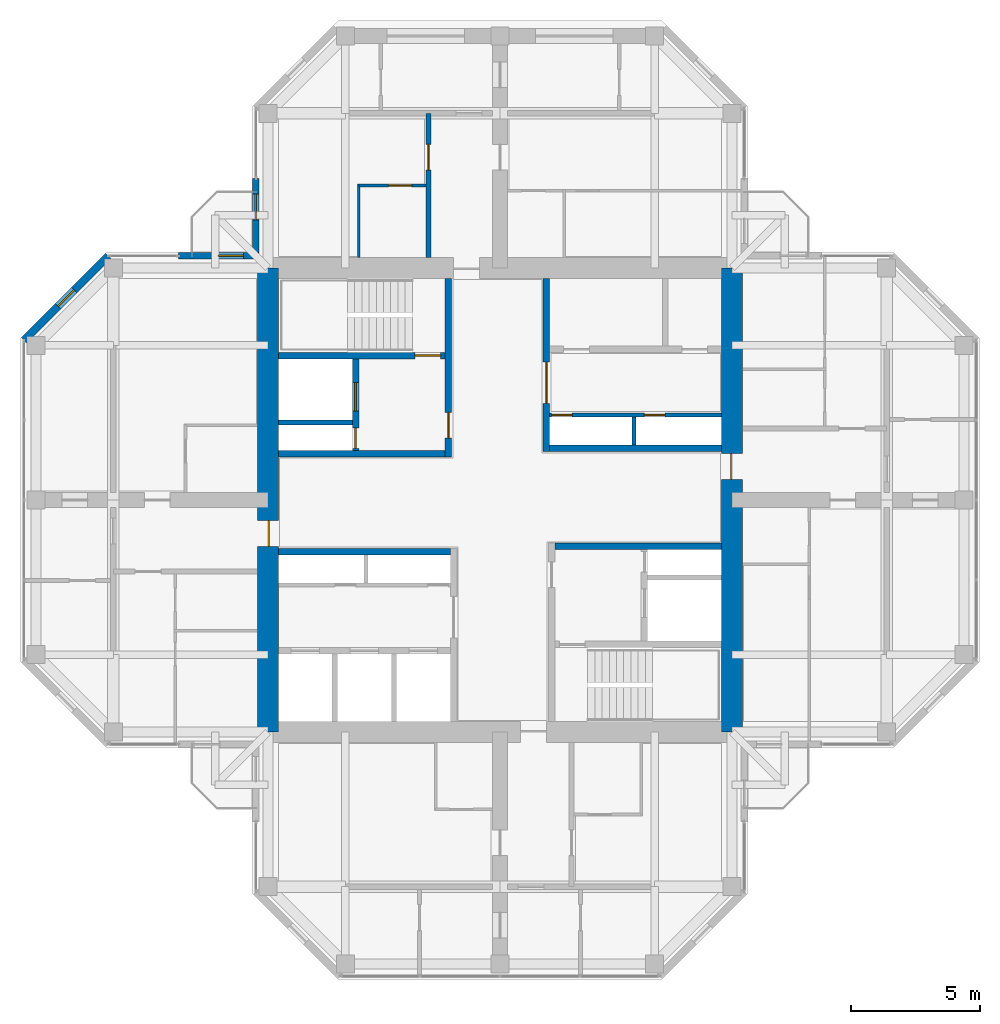
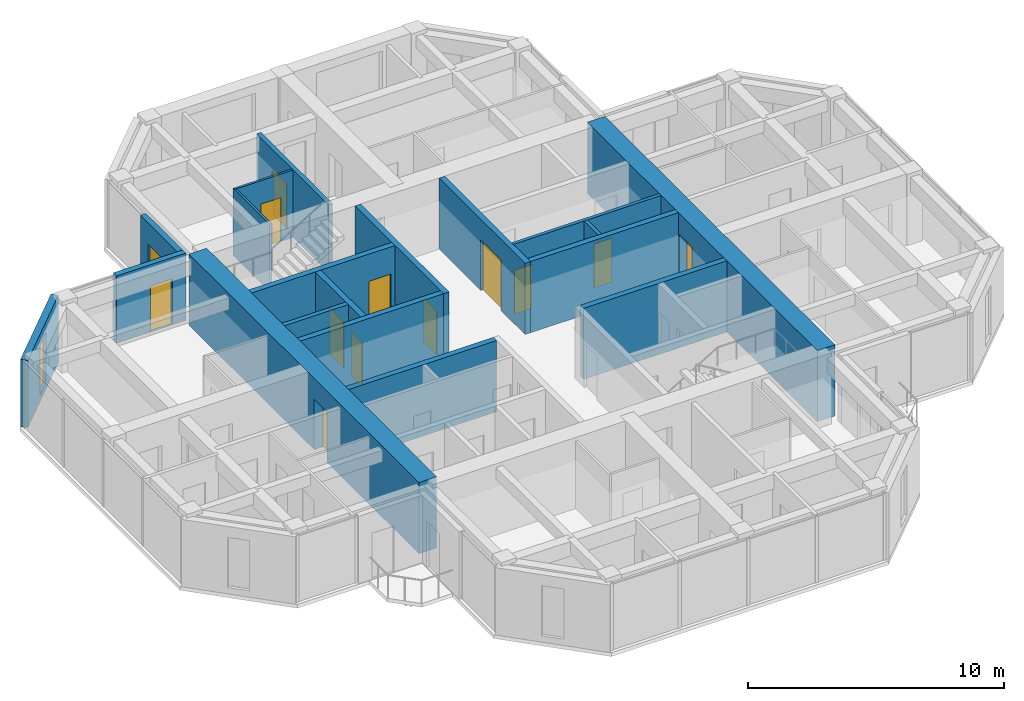
# One storey, part 10 of 13: 19 walls, 13 doors, 1 window, 14 openings.
"""IFC4 building model written with IfcOpenShell, lengths in metres."""

from ifc_helpers import new_model, si_unit, direction, frame, frame_2d, origin, place, context, subcontext, project, spatial, rectangle, hollow_rectangle, extrude, material, layer, layer_set, constituent, constituent_set, type_object, element, fill, save


model = new_model("IFC4")

# Units and contexts
model_context = context("Model", 3, precision=1e-05, world=origin(), true_north=direction((0.0, 1.0)))
body_context = subcontext(model_context, "Body", "Model", "MODEL_VIEW")
ifc_project = project(units=[si_unit("LENGTHUNIT", "METRE"), si_unit("AREAUNIT", "SQUARE_METRE"), si_unit("VOLUMEUNIT", "CUBIC_METRE"), si_unit("PLANEANGLEUNIT", "RADIAN"), si_unit("MASSUNIT", "GRAM", prefix="KILO")], contexts=[model_context])

# Site, building, storey
site_placement = place(None, origin())
site = spatial("IfcSite", under=ifc_project, at=site_placement, CompositionType="ELEMENT")
building_placement = place(site_placement, origin())
building = spatial("IfcBuilding", under=site, at=building_placement, Name="Torre Cruceta", CompositionType="ELEMENT")
storey_placement = place(building_placement, frame((0.0, 0.0, 278.10009765625)))
storey = spatial("IfcBuildingStorey", under=building, at=storey_placement, Name="L72", CompositionType="ELEMENT", Elevation=278.10009765625)

# Wall
ifc_material_1 = material(Name="Water-resistant plasterboard on steel studs", Category="steel")
ifc_layer_1 = layer(ifc_material_1, 0.10009765625)
ifc_layer_set_1 = layer_set([ifc_layer_1], Name="Water-resistant plasterboard on steel studs")
wall_type_1 = type_object("IfcWallType", Name="BATHROOM WALL 100", PredefinedType="PARTITIONING", material=ifc_layer_set_1)
wall_1_placement = place(storey_placement, frame((-5.47509765625, 9.39990234375, 0.0), z_axis=(0.0, 0.0, 1.0), x_axis=(0.0, 1.0, 0.0)))
element("IfcWall", 1, at=wall_1_placement, inside=storey, type_object=wall_type_1, Name="PT4 L72-N-U1LBB", PredefinedType="PARTITIONING", context=body_context, shape_type="SweptSolid", body=[
    extrude(rectangle(XDim=2.85009765625, YDim=0.10009765625, at=frame_2d((1.425048828125, 0.0))), origin(), (0.0, 0.0, 1.0), 3.219970703125),
])

# Wall, opening, door
wall_2_placement = place(storey_placement, frame((-2.875, 12.199951171875, 0.0), z_axis=(0.0, 0.0, 1.0), x_axis=(-1.0, 0.0, 0.0)))
wall_2 = element("IfcWall", 2, at=wall_2_placement, inside=storey, type_object=wall_type_1, Name="PT4 L72-N-U1LBS", PredefinedType="PARTITIONING", context=body_context, shape_type="SweptSolid", body=[
    extrude(rectangle(XDim=2.60009765625, YDim=0.10009765625, at=frame_2d((1.300048828125, 0.0))), origin(), (0.0, 0.0, 1.0), 3.219970703125),
])
opening_1_placement = place(wall_2_placement, frame((0.550048828125, 0.0, 0.0)))
opening_1 = element("IfcOpeningElement", 3, at=opening_1_placement, cuts=wall_2, Name="Opening D7", PredefinedType="OPENING", context=body_context, shape_type="SweptSolid", body=[
    extrude(rectangle(XDim=0.89990234375, YDim=2.10009765625, at=frame_2d((0.449951171875, 1.050048828125))), frame((0.0, 0.06005859375, 0.0), z_axis=(0.0, -1.0, 0.0), x_axis=(1.0, 0.0, 0.0)), (0.0, 0.0, 1.0), 0.1201171875),
])
ifc_material_2 = material(Name="Timber door", Category="wood")
door_type_1 = type_object("IfcDoorType", Name="BATHROOM DOOR 900X2100", OperationType="SINGLE_SWING_LEFT", PredefinedType="DOOR", material=ifc_material_2)
door_1_placement = place(opening_1_placement, origin())
door_1 = element("IfcDoor", 4, at=door_1_placement, inside=storey, type_object=door_type_1, Name="D7 L72-N-U1LBS-D1", OperationType="SINGLE_SWING_LEFT", OverallHeight=2.10009765625, OverallWidth=0.89990234375, PredefinedType="DOOR", context=body_context, shape_type="SweptSolid", body=[
    extrude(rectangle(XDim=0.89990234375, YDim=2.10009765625, at=frame_2d((0.449951171875, 1.050048828125))), frame((0.0, 0.02490234375, 0.0), z_axis=(0.0, -1.0, 0.0), x_axis=(1.0, 0.0, 0.0)), (0.0, 0.0, 1.0), 0.050048828125),
])
fill(opening_1, door_1)

ifc_material_3 = material(Name="Concrete G60 (fck 60 MPa)", Category="concrete")
ifc_layer_2 = layer(ifc_material_3, 0.25)
ifc_layer_set_2 = layer_set([ifc_layer_2], Name="Concrete G60 (fck 60 MPa)")
wall_type_2 = type_object("IfcWallType", Name="CORE INNER WALL 250 G60", PredefinedType="SHEAR", material=ifc_layer_set_2)
wall_3_placement = place(storey_placement, frame((1.800048828125, 1.875, 0.0), z_axis=(0.0, 0.0, 1.0), x_axis=(0.0, 1.0, 0.0)))
wall_3 = element("IfcWall", 5, at=wall_3_placement, inside=storey, type_object=wall_type_2, Name="CW4 L72 NE-CU", PredefinedType="SHEAR", context=body_context, shape_type="SweptSolid", body=[
    extrude(rectangle(XDim=6.72509765625, YDim=0.25, at=frame_2d((3.362548828125, 0.0))), origin(), (0.0, 0.0, 1.0), 3.39990234375),
])
opening_2_placement = place(wall_3_placement, frame((1.875, 0.0, 0.0)))
opening_2 = element("IfcOpeningElement", 6, at=opening_2_placement, cuts=wall_3, Name="Opening D15", PredefinedType="OPENING", context=body_context, shape_type="SweptSolid", body=[
    extrude(rectangle(XDim=1.60009765625, YDim=2.39990234375, at=frame_2d((0.800048828125, 1.199951171875))), frame((0.0, 0.135009765625, 0.0), z_axis=(0.0, -1.0, 0.0), x_axis=(1.0, 0.0, 0.0)), (0.0, 0.0, 1.0), 0.27001953125),
])
ifc_material_4 = material(Name="Steel DX51D", Category="steel")
ifc_constituent_1 = constituent(ifc_material_4, Name="Leaf and frame")
ifc_material_5 = material(Name="Polyester powder coating", Category="paint")
ifc_constituent_2 = constituent(ifc_material_5, Name="Finish")
ifc_constituent_set_1 = constituent_set(constituents=[ifc_constituent_1, ifc_constituent_2], Name="Steel fire door")
door_type_2 = type_object("IfcDoorType", Name="CORE ROOM DOUBLE DOOR 1600X2400", OperationType="DOUBLE_DOOR_SINGLE_SWING", PredefinedType="DOOR", material=ifc_constituent_set_1)
door_2_placement = place(opening_2_placement, frame((1.60009765625, 0.0, 0.0), z_axis=(0.0, 0.0, 1.0), x_axis=(-1.0, 0.0, 0.0)))
door_2 = element("IfcDoor", 7, at=door_2_placement, inside=storey, type_object=door_type_2, Name="D15 L72 NE-LOBBY", OperationType="DOUBLE_DOOR_SINGLE_SWING", OverallHeight=2.39990234375, OverallWidth=1.60009765625, PredefinedType="DOOR", context=body_context, shape_type="SweptSolid", body=[
    extrude(rectangle(XDim=1.60009765625, YDim=2.39990234375, at=frame_2d((0.800048828125, 1.199951171875))), frame((0.0, 0.025146484375, 0.0), z_axis=(0.0, -1.0, 0.0), x_axis=(1.0, 0.0, 0.0)), (0.0, 0.0, 1.0), 0.050048828125),
])
fill(opening_2, door_2)

# Wall
wall_4_placement = place(storey_placement, frame((1.925048828125, 2.0, 0.0), z_axis=(0.0, 0.0, 1.0), x_axis=(1.0, 0.0, 0.0)))
element("IfcWall", 8, at=wall_4_placement, inside=storey, type_object=wall_type_2, Name="CW4 L72 NE-CV", PredefinedType="SHEAR", context=body_context, shape_type="SweptSolid", body=[
    extrude(rectangle(XDim=6.675048828125, YDim=0.25, at=frame_2d((3.33740234375, 0.0))), origin(), (0.0, 0.0, 1.0), 3.39990234375),
])

# Wall, opening, door
wall_5_placement = place(storey_placement, frame((-2.0, 1.675048828125, 0.0), z_axis=(0.0, 0.0, 1.0), x_axis=(0.0, 1.0, 0.0)))
wall_5 = element("IfcWall", 9, at=wall_5_placement, inside=storey, type_object=wall_type_2, Name="CW4 L72 NW-CU", PredefinedType="SHEAR", context=body_context, shape_type="SweptSolid", body=[
    extrude(rectangle(XDim=6.925048828125, YDim=0.25, at=frame_2d((3.46240234375, 0.0))), origin(), (0.0, 0.0, 1.0), 3.39990234375),
])
opening_3_placement = place(wall_5_placement, frame((0.72509765625, 0.0, 0.0)))
opening_3 = element("IfcOpeningElement", 10, at=opening_3_placement, cuts=wall_5, Name="Opening D3", PredefinedType="OPENING", context=body_context, shape_type="SweptSolid", body=[
    extrude(rectangle(XDim=1.0, YDim=2.10009765625, at=frame_2d((0.5, 1.050048828125))), frame((0.0, 0.135009765625, 0.0), z_axis=(0.0, -1.0, 0.0), x_axis=(1.0, 0.0, 0.0)), (0.0, 0.0, 1.0), 0.27001953125),
])
ifc_material_6 = material(Name="Steel DX51D", Category="steel")
ifc_constituent_3 = constituent(ifc_material_6, Name="Leaf and frame")
ifc_material_7 = material(Name="Polyester powder coating", Category="paint")
ifc_constituent_4 = constituent(ifc_material_7, Name="Finish")
ifc_constituent_set_2 = constituent_set(constituents=[ifc_constituent_3, ifc_constituent_4], Name="Steel fire door")
door_type_3 = type_object("IfcDoorType", Name="FIRE DOOR 1000X2100", OperationType="SINGLE_SWING_LEFT", PredefinedType="DOOR", material=ifc_constituent_set_2)
door_3_placement = place(opening_3_placement, origin())
door_3 = element("IfcDoor", 11, at=door_3_placement, inside=storey, type_object=door_type_3, Name="D3 L72 NW-LOBBY", OperationType="SINGLE_SWING_LEFT", OverallHeight=2.10009765625, OverallWidth=1.0, PredefinedType="DOOR", context=body_context, shape_type="SweptSolid", body=[
    extrude(rectangle(XDim=1.0, YDim=2.10009765625, at=frame_2d((0.5, 1.050048828125))), frame((0.0, 0.02490234375, 0.0), z_axis=(0.0, -1.0, 0.0), x_axis=(1.0, 0.0, 0.0)), (0.0, 0.0, 1.0), 0.050048828125),
])
fill(opening_3, door_3)

# Wall
wall_6_placement = place(storey_placement, frame((-2.125, 1.800048828125, 0.0), z_axis=(0.0, 0.0, 1.0), x_axis=(-1.0, 0.0, 0.0)))
element("IfcWall", 12, at=wall_6_placement, inside=storey, type_object=wall_type_2, Name="CW4 L72 NW-CV", PredefinedType="SHEAR", context=body_context, shape_type="SweptSolid", body=[
    extrude(rectangle(XDim=6.47509765625, YDim=0.25, at=frame_2d((3.237548828125, 0.0))), origin(), (0.0, 0.0, 1.0), 3.39990234375),
])

# Wall, opening, door
wall_7_placement = place(storey_placement, frame((-2.125, 5.60009765625, 0.0), z_axis=(0.0, 0.0, 1.0), x_axis=(-1.0, 0.0, 0.0)))
wall_7 = element("IfcWall", 13, at=wall_7_placement, inside=storey, type_object=wall_type_2, Name="CW4 L72 NW-SV", PredefinedType="SHEAR", context=body_context, shape_type="SweptSolid", body=[
    extrude(rectangle(XDim=6.47509765625, YDim=0.25, at=frame_2d((3.237548828125, 0.0))), origin(), (0.0, 0.0, 1.0), 3.39990234375),
])
opening_4_placement = place(wall_7_placement, frame((0.175048828125, 0.0, 0.0)))
opening_4 = element("IfcOpeningElement", 14, at=opening_4_placement, cuts=wall_7, Name="Opening D3", PredefinedType="OPENING", context=body_context, shape_type="SweptSolid", body=[
    extrude(rectangle(XDim=1.0, YDim=2.10009765625, at=frame_2d((0.5, 1.050048828125))), frame((0.0, 0.135009765625, 0.0), z_axis=(0.0, -1.0, 0.0), x_axis=(1.0, 0.0, 0.0)), (0.0, 0.0, 1.0), 0.27001953125),
])
door_4_placement = place(opening_4_placement, frame((1.0, 0.0, 0.0), z_axis=(0.0, 0.0, 1.0), x_axis=(-1.0, 0.0, 0.0)))
door_4 = element("IfcDoor", 15, at=door_4_placement, inside=storey, type_object=door_type_3, Name="D3 L72 NW-STAIR", OperationType="SINGLE_SWING_RIGHT", OverallHeight=2.10009765625, OverallWidth=1.0, PredefinedType="DOOR", context=body_context, shape_type="SweptSolid", body=[
    extrude(rectangle(XDim=1.0, YDim=2.10009765625, at=frame_2d((0.5, 1.050048828125))), frame((0.0, 0.025146484375, 0.0), z_axis=(0.0, -1.0, 0.0), x_axis=(1.0, 0.0, 0.0)), (0.0, 0.0, 1.0), 0.050048828125),
])
fill(opening_4, door_4)

# Wall, openings, doors
wall_8_placement = place(storey_placement, frame((-5.60009765625, 1.925048828125, 0.0), z_axis=(0.0, 0.0, 1.0), x_axis=(0.0, 1.0, 0.0)))
wall_8 = element("IfcWall", 16, at=wall_8_placement, inside=storey, type_object=wall_type_2, Name="CW4 L72 NW-FU", PredefinedType="SHEAR", context=body_context, shape_type="SweptSolid", body=[
    extrude(rectangle(XDim=3.550048828125, YDim=0.25, at=frame_2d((1.77490234375, 0.0))), origin(), (0.0, 0.0, 1.0), 3.39990234375),
])
opening_5_placement = place(wall_8_placement, frame((1.52490234375, 0.0, 0.0)))
opening_5 = element("IfcOpeningElement", 17, at=opening_5_placement, cuts=wall_8, Name="Opening LD1", PredefinedType="OPENING", context=body_context, shape_type="SweptSolid", body=[
    extrude(rectangle(XDim=1.10009765625, YDim=2.199951171875, at=frame_2d((0.550048828125, 1.10009765625))), frame((0.0, 0.135009765625, 0.0), z_axis=(0.0, -1.0, 0.0), x_axis=(1.0, 0.0, 0.0)), (0.0, 0.0, 1.0), 0.27001953125),
])
opening_6_placement = place(wall_8_placement, frame((0.074951171875, 0.0, 0.0)))
opening_6 = element("IfcOpeningElement", 18, at=opening_6_placement, cuts=wall_8, Name="Opening D5", PredefinedType="OPENING", context=body_context, shape_type="SweptSolid", body=[
    extrude(rectangle(XDim=0.800048828125, YDim=2.10009765625, at=frame_2d((0.39990234375, 1.050048828125))), frame((0.0, 0.135009765625, 0.0), z_axis=(0.0, -1.0, 0.0), x_axis=(1.0, 0.0, 0.0)), (0.0, 0.0, 1.0), 0.27001953125),
])
ifc_material_8 = material(Name="Stainless steel 1.4401", Category="steel")
door_type_4 = type_object("IfcDoorType", Name="LIFT LANDING DOOR 1100X2200", OperationType="DOUBLE_DOOR_SLIDING", PredefinedType="DOOR", material=ifc_material_8)
door_5_placement = place(opening_5_placement, origin())
door_5 = element("IfcDoor", 19, at=door_5_placement, inside=storey, type_object=door_type_4, Name="Lift landing door FL1", OperationType="DOUBLE_DOOR_SLIDING", OverallHeight=2.199951171875, OverallWidth=1.10009765625, PredefinedType="DOOR", context=body_context, shape_type="SweptSolid", body=[
    extrude(rectangle(XDim=1.10009765625, YDim=2.199951171875, at=frame_2d((0.550048828125, 1.10009765625))), frame((0.0, 0.02490234375, 0.0), z_axis=(0.0, -1.0, 0.0), x_axis=(1.0, 0.0, 0.0)), (0.0, 0.0, 1.0), 0.050048828125),
])
fill(opening_5, door_5)
ifc_material_9 = material(Name="Steel DX51D", Category="steel")
ifc_constituent_5 = constituent(ifc_material_9, Name="Leaf and frame")
ifc_material_10 = material(Name="Polyester powder coating", Category="paint")
ifc_constituent_6 = constituent(ifc_material_10, Name="Finish")
ifc_constituent_set_3 = constituent_set(constituents=[ifc_constituent_5, ifc_constituent_6], Name="Steel fire door")
door_type_5 = type_object("IfcDoorType", Name="RISER ACCESS DOOR 800X2100", OperationType="SINGLE_SWING_LEFT", PredefinedType="DOOR", material=ifc_constituent_set_3)
door_6_placement = place(opening_6_placement, origin())
door_6 = element("IfcDoor", 20, at=door_6_placement, inside=storey, type_object=door_type_5, Name="D5 L72 NW-RISER", OperationType="SINGLE_SWING_LEFT", OverallHeight=2.10009765625, OverallWidth=0.800048828125, PredefinedType="DOOR", context=body_context, shape_type="SweptSolid", body=[
    extrude(rectangle(XDim=0.800048828125, YDim=2.10009765625, at=frame_2d((0.39990234375, 1.050048828125))), frame((0.0, 0.02490234375, 0.0), z_axis=(0.0, -1.0, 0.0), x_axis=(1.0, 0.0, 0.0)), (0.0, 0.0, 1.0), 0.050048828125),
])
fill(opening_6, door_6)

# Walls
wall_9_placement = place(storey_placement, frame((-1.925048828125, -2.0, 0.0), z_axis=(0.0, 0.0, 1.0), x_axis=(-1.0, 0.0, 0.0)))
element("IfcWall", 21, at=wall_9_placement, inside=storey, type_object=wall_type_2, Name="CW4 L72 SW-CV", PredefinedType="SHEAR", context=body_context, shape_type="SweptSolid", body=[
    extrude(rectangle(XDim=6.675048828125, YDim=0.25, at=frame_2d((3.33740234375, 0.0))), origin(), (0.0, 0.0, 1.0), 3.39990234375),
])
wall_10_placement = place(storey_placement, frame((2.125, -1.800048828125, 0.0), z_axis=(0.0, 0.0, 1.0), x_axis=(1.0, 0.0, 0.0)))
element("IfcWall", 22, at=wall_10_placement, inside=storey, type_object=wall_type_2, Name="CW4 L72 SE-CV", PredefinedType="SHEAR", context=body_context, shape_type="SweptSolid", body=[
    extrude(rectangle(XDim=6.47509765625, YDim=0.25, at=frame_2d((3.237548828125, 0.0))), origin(), (0.0, 0.0, 1.0), 3.39990234375),
])

# Wall, opening, door
ifc_material_11 = material(Name="Concrete G60 (fck 60 MPa)", Category="concrete")
ifc_layer_3 = layer(ifc_material_11, 0.800048828125)
ifc_layer_set_3 = layer_set([ifc_layer_3], Name="Concrete G60 (fck 60 MPa)")
wall_type_3 = type_object("IfcWallType", Name="CORE WALL 800 G60", PredefinedType="SHEAR", material=ifc_layer_set_3)
wall_11_placement = place(storey_placement, frame((9.0, -9.0, 0.0), z_axis=(0.0, 0.0, 1.0), x_axis=(0.0, 1.0, 0.0)))
wall_11 = element("IfcWall", 23, at=wall_11_placement, inside=storey, type_object=wall_type_3, Name="CW3 L72 CW-E", PredefinedType="SHEAR", context=body_context, shape_type="SweptSolid", body=[
    extrude(rectangle(XDim=18.0, YDim=0.800048828125, at=frame_2d((9.0, 0.0))), origin(), (0.0, 0.0, 1.0), 3.39990234375),
])
opening_7_placement = place(wall_11_placement, frame((9.800048828125, 0.0, 0.0)))
opening_7 = element("IfcOpeningElement", 24, at=opening_7_placement, cuts=wall_11, Name="Opening D4", PredefinedType="OPENING", context=body_context, shape_type="SweptSolid", body=[
    extrude(rectangle(XDim=1.0, YDim=2.39990234375, at=frame_2d((0.5, 1.199951171875))), frame((0.0, 0.409912109375, 0.0), z_axis=(0.0, -1.0, 0.0), x_axis=(1.0, 0.0, 0.0)), (0.0, 0.0, 1.0), 0.820068359375),
])
ifc_material_12 = material(Name="Steel DX51D", Category="steel")
ifc_constituent_7 = constituent(ifc_material_12, Name="Leaf and frame")
ifc_material_13 = material(Name="Polyester powder coating", Category="paint")
ifc_constituent_8 = constituent(ifc_material_13, Name="Finish")
ifc_constituent_set_4 = constituent_set(constituents=[ifc_constituent_7, ifc_constituent_8], Name="Steel fire door")
door_type_6 = type_object("IfcDoorType", Name="CORE ARM DOOR 1000X2400", OperationType="SINGLE_SWING_RIGHT", PredefinedType="DOOR", material=ifc_constituent_set_4)
door_7_placement = place(opening_7_placement, origin())
door_7 = element("IfcDoor", 25, at=door_7_placement, inside=storey, type_object=door_type_6, Name="D4 L72 CW-E", OperationType="SINGLE_SWING_RIGHT", OverallHeight=2.39990234375, OverallWidth=1.0, PredefinedType="DOOR", context=body_context, shape_type="SweptSolid", body=[
    extrude(rectangle(XDim=1.0, YDim=2.39990234375, at=frame_2d((0.5, 1.199951171875))), frame((0.0, 0.05517578125, 0.0), z_axis=(0.0, -1.0, 0.0), x_axis=(1.0, 0.0, 0.0)), (0.0, 0.0, 1.0), 0.050048828125),
])
fill(opening_7, door_7)

wall_12_placement = place(storey_placement, frame((-9.0, 9.0, 0.0), z_axis=(0.0, 0.0, 1.0), x_axis=(0.0, -1.0, 0.0)))
wall_12 = element("IfcWall", 26, at=wall_12_placement, inside=storey, type_object=wall_type_3, Name="CW3 L72 CW-W", PredefinedType="SHEAR", context=body_context, shape_type="SweptSolid", body=[
    extrude(rectangle(XDim=18.0, YDim=0.800048828125, at=frame_2d((9.0, 0.0))), origin(), (0.0, 0.0, 1.0), 3.39990234375),
])
opening_8_placement = place(wall_12_placement, frame((9.800048828125, 0.0, 0.0)))
opening_8 = element("IfcOpeningElement", 27, at=opening_8_placement, cuts=wall_12, Name="Opening D4", PredefinedType="OPENING", context=body_context, shape_type="SweptSolid", body=[
    extrude(rectangle(XDim=1.0, YDim=2.39990234375, at=frame_2d((0.5, 1.199951171875))), frame((0.0, 0.409912109375, 0.0), z_axis=(0.0, -1.0, 0.0), x_axis=(1.0, 0.0, 0.0)), (0.0, 0.0, 1.0), 0.820068359375),
])
door_8_placement = place(opening_8_placement, origin())
door_8 = element("IfcDoor", 28, at=door_8_placement, inside=storey, type_object=door_type_6, Name="D4 L72 CW-W", OperationType="SINGLE_SWING_RIGHT", OverallHeight=2.39990234375, OverallWidth=1.0, PredefinedType="DOOR", context=body_context, shape_type="SweptSolid", body=[
    extrude(rectangle(XDim=1.0, YDim=2.39990234375, at=frame_2d((0.5, 1.199951171875))), frame((0.0, 0.05517578125, 0.0), z_axis=(0.0, -1.0, 0.0), x_axis=(1.0, 0.0, 0.0)), (0.0, 0.0, 1.0), 0.050048828125),
])
fill(opening_8, door_8)

ifc_material_14 = material(Name="Concrete G25 (fck 25 MPa)", Category="concrete")
ifc_layer_4 = layer(ifc_material_14, 0.199951171875)
ifc_layer_set_4 = layer_set([ifc_layer_4], Name="Concrete G25 (fck 25 MPa)")
wall_type_4 = type_object("IfcWallType", Name="CORRIDOR WALL 200", PredefinedType="SOLIDWALL", material=ifc_layer_set_4)
wall_13_placement = place(storey_placement, frame((-2.77490234375, 9.39990234375, 0.0), z_axis=(0.0, 0.0, 1.0), x_axis=(0.0, 1.0, 0.0)))
wall_13 = element("IfcWall", 29, at=wall_13_placement, inside=storey, type_object=wall_type_4, Name="PT3 L72-N-CL", PredefinedType="SOLIDWALL", context=body_context, shape_type="SweptSolid", body=[
    extrude(rectangle(XDim=5.60009765625, YDim=0.199951171875, at=frame_2d((2.800048828125, 0.0))), origin(), (0.0, 0.0, 1.0), 3.219970703125),
])
opening_9_placement = place(wall_13_placement, frame((3.39990234375, 0.0, 0.0)))
opening_9 = element("IfcOpeningElement", 30, at=opening_9_placement, cuts=wall_13, Name="Opening D6", PredefinedType="OPENING", context=body_context, shape_type="SweptSolid", body=[
    extrude(rectangle(XDim=1.0, YDim=2.14990234375, at=frame_2d((0.5, 1.074951171875))), frame((0.0, 0.10986328125, 0.0), z_axis=(0.0, -1.0, 0.0), x_axis=(1.0, 0.0, 0.0)), (0.0, 0.0, 1.0), 0.219970703125),
])
ifc_material_15 = material(Name="Timber fire door", Category="wood")
door_type_7 = type_object("IfcDoorType", Name="UNIT ENTRANCE DOOR 1000X2150", OperationType="SINGLE_SWING_LEFT", PredefinedType="DOOR", material=ifc_material_15)
door_9_placement = place(opening_9_placement, origin())
door_9 = element("IfcDoor", 31, at=door_9_placement, inside=storey, type_object=door_type_7, Name="D6 L72-N-CL-D1", OperationType="SINGLE_SWING_LEFT", OverallHeight=2.14990234375, OverallWidth=1.0, PredefinedType="DOOR", context=body_context, shape_type="SweptSolid", body=[
    extrude(rectangle(XDim=1.0, YDim=2.14990234375, at=frame_2d((0.5, 1.074951171875))), frame((0.0, 0.02490234375, 0.0), z_axis=(0.0, -1.0, 0.0), x_axis=(1.0, 0.0, 0.0)), (0.0, 0.0, 1.0), 0.050048828125),
])
fill(opening_9, door_9)

# Wall, opening, window
ifc_material_16 = material(Name="Concrete G30 (fck 30 MPa)", Category="concrete")
ifc_layer_5 = layer(ifc_material_16, 0.300048828125)
ifc_layer_set_5 = layer_set([ifc_layer_5], Name="Concrete G30 (fck 30 MPa)")
wall_type_5 = type_object("IfcWallType", Name="EXPOSED CONCRETE FACADE WALL 300", PredefinedType="SOLIDWALL", material=ifc_layer_set_5)
wall_14_placement = place(storey_placement, frame((-15.194580078125, 9.469970703125, 0.0), z_axis=(0.0, 0.0, 1.0), x_axis=(-0.707106781187, -0.707106781187, 0.0)))
wall_14 = element("IfcWall", 32, at=wall_14_placement, inside=storey, type_object=wall_type_5, Name="EW1 facade wall L72 W chamfer 11", PredefinedType="SOLIDWALL", context=body_context, shape_type="SweptSolid", body=[
    extrude(rectangle(XDim=4.632080078125, YDim=0.300048828125, at=frame_2d((2.31591796875, 0.0))), origin(), (0.0, 0.0, 1.0), 3.219970703125),
])
opening_10_placement = place(wall_14_placement, frame((1.865966796875, 0.0, 0.300048828125)))
opening_10 = element("IfcOpeningElement", 33, at=opening_10_placement, cuts=wall_14, Name="Opening WN5", PredefinedType="OPENING", context=body_context, shape_type="SweptSolid", body=[
    extrude(rectangle(XDim=0.89990234375, YDim=2.39990234375, at=frame_2d((0.449951171875, 1.199951171875))), frame((0.0, 0.159912109375, 0.0), z_axis=(0.0, -1.0, 0.0), x_axis=(1.0, 0.0, 0.0)), (0.0, 0.0, 1.0), 0.320068359375),
])
ifc_material_17 = material(Name="Aluminium window frame", Category="aluminium")
ifc_constituent_9 = constituent(ifc_material_17, Name="Frame")
ifc_material_18 = material(Name="Laminated insulating glass unit, low-iron clear", Category="glass")
ifc_constituent_10 = constituent(ifc_material_18, Name="Glazing")
ifc_constituent_set_5 = constituent_set(constituents=[ifc_constituent_9, ifc_constituent_10], Name="Aluminium window")
window_type = type_object("IfcWindowType", Name="CHAMFER SLOT WINDOW 900X2400", PartitioningType="SINGLE_PANEL", PredefinedType="WINDOW", material=ifc_constituent_set_5)
window_placement = place(opening_10_placement, origin())
window = element("IfcWindow", 34, at=window_placement, inside=storey, type_object=window_type, Name="WN5 L72 W 1", OverallHeight=2.39990234375, OverallWidth=0.89990234375, PartitioningType="SINGLE_PANEL", PredefinedType="WINDOW", context=body_context, shape_type="SweptSolid", body=[
    extrude(hollow_rectangle(XDim=0.89990234375, YDim=2.39990234375, WallThickness=0.06005859375, at=frame_2d((0.449951171875, 1.199951171875))), frame((0.0, 0.030029296875, 0.0), z_axis=(0.0, -1.0, 0.0), x_axis=(1.0, 0.0, 0.0)), (0.0, 0.0, 1.0), 0.06005859375),
    extrude(rectangle(XDim=0.77880859375, YDim=2.27880859375, at=frame_2d((0.449951171875, 1.199951171875))), frame((0.0, 0.030029296875, 0.0), z_axis=(0.0, -1.0, 0.0), x_axis=(1.0, 0.0, 0.0)), (0.0, 0.0, 1.0), 0.06005859375),
])
fill(opening_10, window)

# Wall
ifc_material_19 = material(Name="Concrete G35 (fck 35 MPa)", Category="concrete")
ifc_layer_6 = layer(ifc_material_19, 0.199951171875)
ifc_layer_set_6 = layer_set([ifc_layer_6], Name="Concrete G35 (fck 35 MPa)")
wall_type_6 = type_object("IfcWallType", Name="LIFT SHAFT WALL 200", PredefinedType="PARTITIONING", material=ifc_layer_set_6)
wall_15_placement = place(storey_placement, frame((-5.72509765625, 3.0, 0.0), z_axis=(0.0, 0.0, 1.0), x_axis=(-1.0, 0.0, 0.0)))
element("IfcWall", 35, at=wall_15_placement, inside=storey, type_object=wall_type_6, Name="SW1 L72 NW-FR", PredefinedType="PARTITIONING", context=body_context, shape_type="SweptSolid", body=[
    extrude(rectangle(XDim=2.875, YDim=0.199951171875, at=frame_2d((1.4375, 0.0))), origin(), (0.0, 0.0, 1.0), 3.39990234375),
])

# Wall, openings, doors
ifc_material_20 = material(Name="Concrete block masonry", Category="masonry")
ifc_layer_7 = layer(ifc_material_20, 0.14990234375)
ifc_layer_set_7 = layer_set([ifc_layer_7], Name="Concrete block masonry")
wall_type_7 = type_object("IfcWallType", Name="RISER WALL 150", PredefinedType="PARTITIONING", material=ifc_layer_set_7)
wall_16_placement = place(storey_placement, frame((1.925048828125, 3.300048828125, 0.0), z_axis=(0.0, 0.0, 1.0), x_axis=(1.0, 0.0, 0.0)))
wall_16 = element("IfcWall", 36, at=wall_16_placement, inside=storey, type_object=wall_type_7, Name="SW7 L72 NE-RV", PredefinedType="PARTITIONING", context=body_context, shape_type="SweptSolid", body=[
    extrude(rectangle(XDim=6.675048828125, YDim=0.14990234375, at=frame_2d((3.33740234375, 0.0))), origin(), (0.0, 0.0, 1.0), 3.39990234375),
])
opening_11_placement = place(wall_16_placement, frame((0.074951171875, 0.0, 0.0)))
opening_11 = element("IfcOpeningElement", 37, at=opening_11_placement, cuts=wall_16, Name="Opening D5", PredefinedType="OPENING", context=body_context, shape_type="SweptSolid", body=[
    extrude(rectangle(XDim=0.800048828125, YDim=2.10009765625, at=frame_2d((0.39990234375, 1.050048828125))), frame((0.0, 0.0849609375, 0.0), z_axis=(0.0, -1.0, 0.0), x_axis=(1.0, 0.0, 0.0)), (0.0, 0.0, 1.0), 0.169921875),
])
opening_12_placement = place(wall_16_placement, frame((3.675048828125, 0.0, 0.0)))
opening_12 = element("IfcOpeningElement", 38, at=opening_12_placement, cuts=wall_16, Name="Opening D5", PredefinedType="OPENING", context=body_context, shape_type="SweptSolid", body=[
    extrude(rectangle(XDim=0.800048828125, YDim=2.10009765625, at=frame_2d((0.39990234375, 1.050048828125))), frame((0.0, 0.0849609375, 0.0), z_axis=(0.0, -1.0, 0.0), x_axis=(1.0, 0.0, 0.0)), (0.0, 0.0, 1.0), 0.169921875),
])
door_10_placement = place(opening_11_placement, frame((0.800048828125, 0.0, 0.0), z_axis=(0.0, 0.0, 1.0), x_axis=(-1.0, 0.0, 0.0)))
door_10 = element("IfcDoor", 39, at=door_10_placement, inside=storey, type_object=door_type_5, Name="D5 L72 NE-RISER1", OperationType="SINGLE_SWING_RIGHT", OverallHeight=2.10009765625, OverallWidth=0.800048828125, PredefinedType="DOOR", context=body_context, shape_type="SweptSolid", body=[
    extrude(rectangle(XDim=0.800048828125, YDim=2.10009765625, at=frame_2d((0.400146484375, 1.050048828125))), frame((0.0, 0.025146484375, 0.0), z_axis=(0.0, -1.0, 0.0), x_axis=(1.0, 0.0, 0.0)), (0.0, 0.0, 1.0), 0.050048828125),
])
fill(opening_11, door_10)
door_11_placement = place(opening_12_placement, frame((0.800048828125, 0.0, 0.0), z_axis=(0.0, 0.0, 1.0), x_axis=(-1.0, 0.0, 0.0)))
door_11 = element("IfcDoor", 40, at=door_11_placement, inside=storey, type_object=door_type_5, Name="D5 L72 NE-RISER2", OperationType="SINGLE_SWING_RIGHT", OverallHeight=2.10009765625, OverallWidth=0.800048828125, PredefinedType="DOOR", context=body_context, shape_type="SweptSolid", body=[
    extrude(rectangle(XDim=0.800048828125, YDim=2.10009765625, at=frame_2d((0.400146484375, 1.050048828125))), frame((0.0, 0.025146484375, 0.0), z_axis=(0.0, -1.0, 0.0), x_axis=(1.0, 0.0, 0.0)), (0.0, 0.0, 1.0), 0.050048828125),
])
fill(opening_12, door_11)

# Wall
wall_17_placement = place(storey_placement, frame((5.199951171875, 2.125, 0.0), z_axis=(0.0, 0.0, 1.0), x_axis=(0.0, 1.0, 0.0)))
element("IfcWall", 41, at=wall_17_placement, inside=storey, type_object=wall_type_7, Name="SW7 L72 NE-RU", PredefinedType="PARTITIONING", context=body_context, shape_type="SweptSolid", body=[
    extrude(rectangle(XDim=1.10009765625, YDim=0.14990234375, at=frame_2d((0.550048828125, 0.0))), origin(), (0.0, 0.0, 1.0), 3.39990234375),
])

# Wall, opening, door
ifc_material_21 = material(Name="Concrete G30 (fck 30 MPa)", Category="concrete")
ifc_layer_8 = layer(ifc_material_21, 0.25)
ifc_layer_set_8 = layer_set([ifc_layer_8], Name="Concrete G30 (fck 30 MPa)")
wall_type_8 = type_object("IfcWallType", Name="WINTER GARDEN WALL 250", PredefinedType="SOLIDWALL", material=ifc_layer_set_8)
wall_18_placement = place(storey_placement, frame((-9.469970703125, 12.469970703125, 0.0), z_axis=(0.0, 0.0, 1.0), x_axis=(0.0, -1.0, 0.0)))
wall_18 = element("IfcWall", 42, at=wall_18_placement, inside=storey, type_object=wall_type_8, Name="EW2 winter garden wall L72 09", PredefinedType="SOLIDWALL", context=body_context, shape_type="SweptSolid", body=[
    extrude(rectangle(XDim=2.875, YDim=0.25, at=frame_2d((1.4375, 0.0))), origin(), (0.0, 0.0, 1.0), 3.219970703125),
])
opening_13_placement = place(wall_18_placement, frame((0.60009765625, 0.0, 0.0)))
opening_13 = element("IfcOpeningElement", 43, at=opening_13_placement, cuts=wall_18, Name="Opening D10", PredefinedType="OPENING", context=body_context, shape_type="SweptSolid", body=[
    extrude(rectangle(XDim=1.0, YDim=2.199951171875, at=frame_2d((0.5, 1.10009765625))), frame((0.0, 0.135009765625, 0.0), z_axis=(0.0, -1.0, 0.0), x_axis=(1.0, 0.0, 0.0)), (0.0, 0.0, 1.0), 0.27001953125),
])
ifc_material_22 = material(Name="Aluminium door frame", Category="aluminium")
ifc_constituent_11 = constituent(ifc_material_22, Name="Frame")
ifc_material_23 = material(Name="Laminated safety glass", Category="glass")
ifc_constituent_12 = constituent(ifc_material_23, Name="Glazing")
ifc_constituent_set_6 = constituent_set(constituents=[ifc_constituent_11, ifc_constituent_12], Name="Aluminium glazed door")
door_type_8 = type_object("IfcDoorType", Name="BALCONY DOOR 1000X2200", OperationType="SINGLE_SWING_RIGHT", PredefinedType="DOOR", material=ifc_constituent_set_6)
door_12_placement = place(opening_13_placement, origin())
door_12 = element("IfcDoor", 44, at=door_12_placement, inside=storey, type_object=door_type_8, Name="D10 balcony door L72 09", OperationType="SINGLE_SWING_RIGHT", OverallHeight=2.199951171875, OverallWidth=1.0, PredefinedType="DOOR", context=body_context, shape_type="SweptSolid", body=[
    extrude(hollow_rectangle(XDim=1.0, YDim=2.199951171875, WallThickness=0.06005859375, at=frame_2d((0.5, 1.10009765625))), frame((0.0, 0.02490234375, 0.0), z_axis=(0.0, -1.0, 0.0), x_axis=(1.0, 0.0, 0.0)), (0.0, 0.0, 1.0), 0.050048828125),
    extrude(rectangle(XDim=0.87890625, YDim=2.078857421875, at=frame_2d((0.5, 1.10009765625))), frame((0.0, 0.02490234375, 0.0), z_axis=(0.0, -1.0, 0.0), x_axis=(1.0, 0.0, 0.0)), (0.0, 0.0, 1.0), 0.050048828125),
])
fill(opening_13, door_12)

wall_19_placement = place(storey_placement, frame((-9.344970703125, 9.469970703125, 0.0), z_axis=(0.0, 0.0, 1.0), x_axis=(-1.0, 0.0, 0.0)))
wall_19 = element("IfcWall", 45, at=wall_19_placement, inside=storey, type_object=wall_type_8, Name="EW2 winter garden wall L72 10", PredefinedType="SOLIDWALL", context=body_context, shape_type="SweptSolid", body=[
    extrude(rectangle(XDim=3.125, YDim=0.25, at=frame_2d((1.5625, 0.0))), origin(), (0.0, 0.0, 1.0), 3.219970703125),
])
opening_14_placement = place(wall_19_placement, frame((0.60009765625, 0.0, 0.0)))
opening_14 = element("IfcOpeningElement", 46, at=opening_14_placement, cuts=wall_19, Name="Opening D10", PredefinedType="OPENING", context=body_context, shape_type="SweptSolid", body=[
    extrude(rectangle(XDim=1.0, YDim=2.199951171875, at=frame_2d((0.5, 1.10009765625))), frame((0.0, 0.135009765625, 0.0), z_axis=(0.0, -1.0, 0.0), x_axis=(1.0, 0.0, 0.0)), (0.0, 0.0, 1.0), 0.27001953125),
])
door_13_placement = place(opening_14_placement, origin())
door_13 = element("IfcDoor", 47, at=door_13_placement, inside=storey, type_object=door_type_8, Name="D10 balcony door L72 10", OperationType="SINGLE_SWING_LEFT", OverallHeight=2.199951171875, OverallWidth=1.0, PredefinedType="DOOR", context=body_context, shape_type="SweptSolid", body=[
    extrude(hollow_rectangle(XDim=1.0, YDim=2.199951171875, WallThickness=0.06005859375, at=frame_2d((0.5, 1.10009765625))), frame((0.0, 0.02490234375, 0.0), z_axis=(0.0, -1.0, 0.0), x_axis=(1.0, 0.0, 0.0)), (0.0, 0.0, 1.0), 0.050048828125),
    extrude(rectangle(XDim=0.87890625, YDim=2.078857421875, at=frame_2d((0.5, 1.10009765625))), frame((0.0, 0.02490234375, 0.0), z_axis=(0.0, -1.0, 0.0), x_axis=(1.0, 0.0, 0.0)), (0.0, 0.0, 1.0), 0.050048828125),
])
fill(opening_14, door_13)

save(model, "model.ifc")
